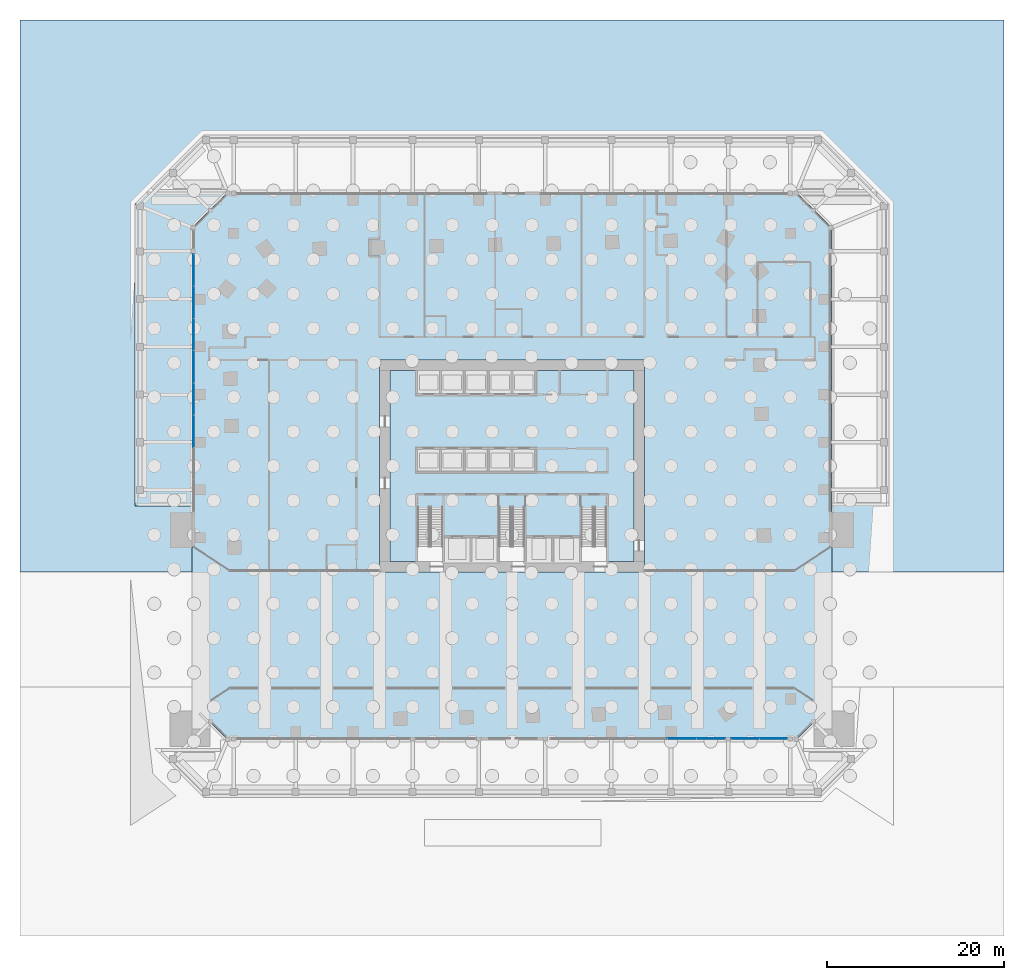
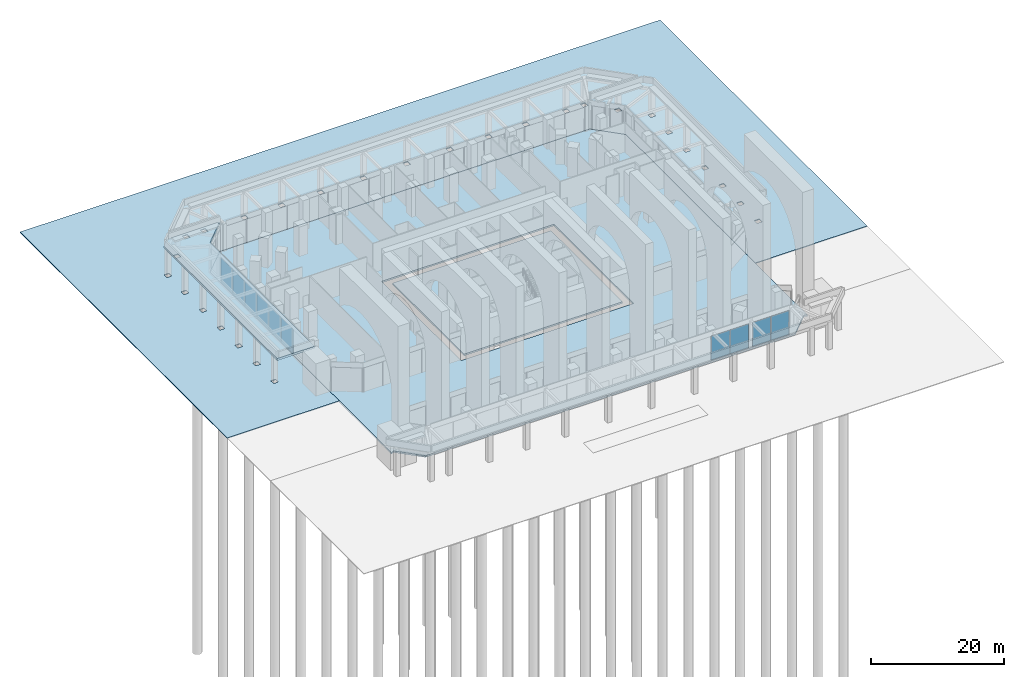
# One storey, part 36 of 46: 10 plates, 4 slabs, 3 elements without a shape of their own.
"""IFC4 building model written with IfcOpenShell, lengths in metres."""

from ifc_helpers import new_model, si_unit, direction, frame, origin, origin_2d, place, context, subcontext, project, spatial, polyline, rectangle, outline, extrude, material, layer, layer_set, type_object, element, aggregate, save


model = new_model("IFC4")

# Units and contexts
model_context = context("Model", 3, precision=1e-05, world=origin(), true_north=direction((0.0, 1.0)))
body_context = subcontext(model_context, "Body", "Model", "MODEL_VIEW")
ifc_project = project(units=[si_unit("LENGTHUNIT", "METRE"), si_unit("AREAUNIT", "SQUARE_METRE"), si_unit("VOLUMEUNIT", "CUBIC_METRE"), si_unit("PLANEANGLEUNIT", "RADIAN"), si_unit("MASSUNIT", "GRAM", prefix="KILO")], contexts=[model_context])

# Site, building, storey
site_placement = place(None, origin())
site = spatial("IfcSite", under=ifc_project, at=site_placement, CompositionType="ELEMENT")
building_placement = place(site_placement, origin())
building = spatial("IfcBuilding", under=site, at=building_placement, Name="Mangrove Gate Tower", CompositionType="ELEMENT")
storey_placement = place(building_placement, origin())
storey = spatial("IfcBuildingStorey", under=building, at=storey_placement, Name="L00", CompositionType="ELEMENT", Elevation=0.0)

# Slabs
ifc_material_1 = material(Name="Concrete C40/50", Category="concrete")
ifc_layer_1 = layer(ifc_material_1, 0.419921875)
ifc_layer_set_1 = layer_set([ifc_layer_1], Name="Canopy slab 420 C40/50")
slab_type_1 = type_object("IfcSlabType", Name="Canopy slab 420 C40/50", PredefinedType="ROOF", material=ifc_layer_set_1)
slab_1_placement = place(storey_placement, frame((0.0, 0.0, 5.080078125)))
element("IfcSlab", 1, at=slab_1_placement, inside=storey, type_object=slab_type_1, Name="Canopy slab W", PredefinedType="ROOF", context=body_context, shape_type="SweptSolid", body=[
    extrude(outline(polyline([(-32.199951171875, 31.0), (-41.39208984375, 31.0), (-42.699951171875, 29.69189453125), (-42.699951171875, -4.5), (-36.199951171875, -4.5), (-36.199951171875, 27.0), (-32.199951171875, 31.0)])), origin(), (0.0, 0.0, 1.0), 0.419921875),
])
ifc_material_2 = material(Name="Concrete C40/50", Category="concrete")
ifc_layer_2 = layer(ifc_material_2, 0.300048828125)
ifc_layer_set_2 = layer_set([ifc_layer_2], Name="Core floor slab 300 C40/50")
slab_type_2 = type_object("IfcSlabType", Name="Core floor slab 300 C40/50", PredefinedType="FLOOR", material=ifc_layer_set_2)
slab_2_placement = place(storey_placement, frame((0.0, 0.0, -0.300048828125)))
element("IfcSlab", 2, at=slab_2_placement, inside=storey, type_object=slab_type_2, Name="SLAB-L00-CORE-1", PredefinedType="FLOOR", context=body_context, shape_type="SweptSolid", body=[
    extrude(outline(polyline([(13.800048828125, -10.800048828125), (13.800048828125, 10.800048828125), (-13.800048828125, 10.800048828125), (-13.800048828125, -10.800048828125), (13.800048828125, -10.800048828125)])), origin(), (0.0, 0.0, 1.0), 0.300048828125),
])
ifc_material_3 = material(Name="Concrete C40/50", Category="concrete")
ifc_layer_3 = layer(ifc_material_3, 0.300048828125)
ifc_layer_set_3 = layer_set([ifc_layer_3], Name="Floor slab 300 C40/50 ground")
slab_type_3 = type_object("IfcSlabType", Name="Floor slab 300 C40/50 ground", PredefinedType="BASESLAB", material=ifc_layer_set_3)
slab_3_placement = place(storey_placement, frame((0.0, 0.0, -0.300048828125)))
element("IfcSlab", 3, at=slab_3_placement, inside=storey, type_object=slab_type_3, Name="Floor slab L00", PredefinedType="BASESLAB", context=body_context, shape_type="SweptSolid", body=[
    extrude(outline(polyline([(-36.199951171875, -27.75), (-35.746826171875, -27.453125), (-32.199951171875, -31.0), (32.199951171875, -31.0), (35.746826171875, -27.453125), (36.199951171875, -27.75), (36.199951171875, 27.0), (32.199951171875, 31.0), (-32.199951171875, 31.0), (-36.199951171875, 27.0), (-36.199951171875, -27.75)]), holes=[polyline([(-15.0, 12.0), (15.0, 12.0), (15.0, -12.0), (-15.0, -12.0), (-15.0, 12.0)])]), origin(), (0.0, 0.0, 1.0), 0.300048828125),
])
ifc_material_4 = material(Name="Granite", Category="masonry")
ifc_layer_4 = layer(ifc_material_4, 0.06005859375, Name="Granite paving")
ifc_material_5 = material(Name="Bedding sand")
ifc_layer_5 = layer(ifc_material_5, 0.030029296875, Name="Bedding course")
ifc_material_6 = material(Name="Compacted crushed stone", Category="masonry")
ifc_layer_6 = layer(ifc_material_6, 0.06005859375, Name="Sub-base")
ifc_layer_set_4 = layer_set([ifc_layer_4, ifc_layer_5, ifc_layer_6], Name="Plaza paving 150 granite")
slab_type_4 = type_object("IfcSlabType", Name="Plaza paving 150 granite", PredefinedType="USERDEFINED", material=ifc_layer_set_4)
slab_4_placement = place(storey_placement, frame((0.0, 0.0, -0.14990234375)))
element("IfcSlab", 4, at=slab_4_placement, inside=storey, type_object=slab_type_4, Name="PLAZA PAVING", ObjectType="PAVING", PredefinedType="USERDEFINED", context=body_context, shape_type="SweptSolid", body=[
    extrude(outline(polyline([(55.699951171875, -12.0), (36.199951171875, -12.0), (36.199951171875, 27.0), (32.199951171875, 31.0), (32.199951171875, 31.0), (-32.199951171875, 31.0), (-32.199951171875, 31.0), (-36.199951171875, 27.0), (-36.199951171875, -12.0), (-55.699951171875, -12.0), (-55.699951171875, 50.5), (55.699951171875, 50.5), (55.699951171875, -12.0)]), holes=[polyline([(-41.679931640625, -3.1201171875), (-41.679931640625, -2.280029296875), (-42.52001953125, -2.280029296875), (-42.52001953125, -3.1201171875), (-41.679931640625, -3.1201171875)]), polyline([(-41.679931640625, 3.1201171875), (-42.52001953125, 3.1201171875), (-42.52001953125, 2.280029296875), (-41.679931640625, 2.280029296875), (-41.679931640625, 3.1201171875)]), polyline([(-41.679931640625, 8.52001953125), (-42.52001953125, 8.52001953125), (-42.52001953125, 7.679931640625), (-41.679931640625, 7.679931640625), (-41.679931640625, 8.52001953125)]), polyline([(-41.679931640625, 13.919921875), (-42.52001953125, 13.919921875), (-42.52001953125, 13.080078125), (-41.679931640625, 13.080078125), (-41.679931640625, 13.919921875)]), polyline([(-41.679931640625, 18.47998046875), (-41.679931640625, 19.320068359375), (-42.52001953125, 19.320068359375), (-42.52001953125, 18.47998046875), (-41.679931640625, 18.47998046875)]), polyline([(-41.679931640625, 23.8798828125), (-41.679931640625, 24.719970703125), (-42.52001953125, 24.719970703125), (-42.52001953125, 23.8798828125), (-41.679931640625, 23.8798828125)]), polyline([(-41.679931640625, 29.864013671875), (-42.52001953125, 29.864013671875), (-42.52001953125, 29.02392578125), (-41.679931640625, 29.02392578125), (-41.679931640625, 29.864013671875)]), polyline([(-37.951904296875, 33.592041015625), (-38.7919921875, 33.592041015625), (-38.7919921875, 32.751953125), (-37.951904296875, 32.751953125), (-37.951904296875, 33.592041015625)]), polyline([(-34.22412109375, 37.320068359375), (-35.06396484375, 37.320068359375), (-35.06396484375, 36.47998046875), (-34.22412109375, 36.47998046875), (-34.22412109375, 37.320068359375)]), polyline([(-31.080078125, 36.47998046875), (-31.080078125, 37.320068359375), (-31.919921875, 37.320068359375), (-31.919921875, 36.47998046875), (-31.080078125, 36.47998046875)]), polyline([(-24.080078125, 36.47998046875), (-24.080078125, 37.320068359375), (-24.919921875, 37.320068359375), (-24.919921875, 36.47998046875), (-24.080078125, 36.47998046875)]), polyline([(-17.580078125, 37.320068359375), (-18.419921875, 37.320068359375), (-18.419921875, 36.47998046875), (-17.580078125, 36.47998046875), (-17.580078125, 37.320068359375)]), polyline([(-10.830078125, 37.320068359375), (-11.669921875, 37.320068359375), (-11.669921875, 36.47998046875), (-10.830078125, 36.47998046875), (-10.830078125, 37.320068359375)]), polyline([(-3.330078125, 37.320068359375), (-4.169921875, 37.320068359375), (-4.169921875, 36.47998046875), (-3.330078125, 36.47998046875), (-3.330078125, 37.320068359375)]), polyline([(4.169921875, 36.47998046875), (4.169921875, 37.320068359375), (3.330078125, 37.320068359375), (3.330078125, 36.47998046875), (4.169921875, 36.47998046875)]), polyline([(11.669921875, 36.47998046875), (11.669921875, 37.320068359375), (10.830078125, 37.320068359375), (10.830078125, 36.47998046875), (11.669921875, 36.47998046875)]), polyline([(18.419921875, 37.320068359375), (17.580078125, 37.320068359375), (17.580078125, 36.47998046875), (18.419921875, 36.47998046875), (18.419921875, 37.320068359375)]), polyline([(24.919921875, 37.320068359375), (24.080078125, 37.320068359375), (24.080078125, 36.47998046875), (24.919921875, 36.47998046875), (24.919921875, 37.320068359375)]), polyline([(42.52001953125, -2.280029296875), (41.679931640625, -2.280029296875), (41.679931640625, -3.1201171875), (42.52001953125, -3.1201171875), (42.52001953125, -2.280029296875)]), polyline([(42.52001953125, 3.1201171875), (41.679931640625, 3.1201171875), (41.679931640625, 2.280029296875), (42.52001953125, 2.280029296875), (42.52001953125, 3.1201171875)]), polyline([(42.52001953125, 7.679931640625), (42.52001953125, 8.52001953125), (41.679931640625, 8.52001953125), (41.679931640625, 7.679931640625), (42.52001953125, 7.679931640625)]), polyline([(42.52001953125, 13.080078125), (42.52001953125, 13.919921875), (41.679931640625, 13.919921875), (41.679931640625, 13.080078125), (42.52001953125, 13.080078125)]), polyline([(42.52001953125, 19.320068359375), (41.679931640625, 19.320068359375), (41.679931640625, 18.47998046875), (42.52001953125, 18.47998046875), (42.52001953125, 19.320068359375)]), polyline([(42.52001953125, 23.8798828125), (42.52001953125, 24.719970703125), (41.679931640625, 24.719970703125), (41.679931640625, 23.8798828125), (42.52001953125, 23.8798828125)]), polyline([(42.52001953125, 29.02392578125), (42.52001953125, 29.864013671875), (41.679931640625, 29.864013671875), (41.679931640625, 29.02392578125), (42.52001953125, 29.02392578125)]), polyline([(38.7919921875, 33.592041015625), (37.951904296875, 33.592041015625), (37.951904296875, 32.751953125), (38.7919921875, 32.751953125), (38.7919921875, 33.592041015625)]), polyline([(31.919921875, 36.47998046875), (31.919921875, 37.320068359375), (31.080078125, 37.320068359375), (31.080078125, 36.47998046875), (31.919921875, 36.47998046875)]), polyline([(35.06396484375, 36.47998046875), (35.06396484375, 37.320068359375), (34.22412109375, 37.320068359375), (34.22412109375, 36.47998046875), (35.06396484375, 36.47998046875)])]), origin(), (0.0, 0.0, 1.0), 0.14990234375),
])

# Curtain wall, plates
ifc_material_7 = material(Name="Aluminium and glass curtain wall", Category="aluminium")
curtain_wall_type = type_object("IfcCurtainWallType", Name="Podium shopfront glazing wall", PredefinedType="NOTDEFINED", material=ifc_material_7)
curtain_wall_1_placement = place(storey_placement, origin())
curtain_wall_1 = element("IfcCurtainWall", 5, at=curtain_wall_1_placement, inside=storey, type_object=curtain_wall_type, Name="Podium shopfront glazing S4s3", PredefinedType="NOTDEFINED")
ifc_material_8 = material(Name="Laminated low-e glass", Category="glass")
ifc_layer_7 = layer(ifc_material_8, 0.02392578125)
ifc_layer_set_5 = layer_set([ifc_layer_7], Name="Podium shopfront glazing panel 24")
plate_type = type_object("IfcPlateType", Name="Podium shopfront glazing panel 24", PredefinedType="CURTAIN_PANEL", material=ifc_layer_set_5)
plate_1_placement = place(storey_placement, frame((19.239990234375, -30.85009765625, 0.0), z_axis=(0.0, 0.0, 1.0), x_axis=(1.0, 0.0, 0.0)))
plate_1 = element("IfcPlate", 6, at=plate_1_placement, type_object=plate_type, Name="CWS panel 5.1", PredefinedType="CURTAIN_PANEL", context=body_context, shape_type="SweptSolid", body=[
    extrude(rectangle(XDim=3.260009765625, YDim=0.02392578125, at=origin_2d()), origin(), (0.0, 0.0, 1.0), 4.510009765625),
])
plate_2_placement = place(storey_placement, frame((22.544921875, -30.85009765625, 0.0), z_axis=(0.0, 0.0, 1.0), x_axis=(1.0, 0.0, 0.0)))
plate_2 = element("IfcPlate", 7, at=plate_2_placement, type_object=plate_type, Name="CWS panel 6.1", PredefinedType="CURTAIN_PANEL", context=body_context, shape_type="SweptSolid", body=[
    extrude(rectangle(XDim=3.22998046875, YDim=0.02392578125, at=origin_2d()), origin(), (0.0, 0.0, 1.0), 4.510009765625),
])
aggregate(curtain_wall_1, [plate_1, plate_2])

curtain_wall_2_placement = place(storey_placement, origin())
curtain_wall_2 = element("IfcCurtainWall", 8, at=curtain_wall_2_placement, inside=storey, type_object=curtain_wall_type, Name="Podium shopfront glazing S4s4", PredefinedType="NOTDEFINED")
plate_3_placement = place(storey_placement, frame((26.405029296875, -30.85009765625, 0.0), z_axis=(0.0, 0.0, 1.0), x_axis=(1.0, 0.0, 0.0)))
plate_3 = element("IfcPlate", 9, at=plate_3_placement, type_object=plate_type, Name="CWS panel 1.1", PredefinedType="CURTAIN_PANEL", context=body_context, shape_type="SweptSolid", body=[
    extrude(rectangle(XDim=3.1298828125, YDim=0.02392578125, at=origin_2d()), origin(), (0.0, 0.0, 1.0), 4.510009765625),
])
plate_4_placement = place(storey_placement, frame((29.594970703125, -30.85009765625, 0.0), z_axis=(0.0, 0.0, 1.0), x_axis=(1.0, 0.0, 0.0)))
plate_4 = element("IfcPlate", 10, at=plate_4_placement, type_object=plate_type, Name="CWS panel 2.1", PredefinedType="CURTAIN_PANEL", context=body_context, shape_type="SweptSolid", body=[
    extrude(rectangle(XDim=3.1298828125, YDim=0.02392578125, at=origin_2d()), origin(), (0.0, 0.0, 1.0), 4.510009765625),
])
aggregate(curtain_wall_2, [plate_3, plate_4])

curtain_wall_3_placement = place(storey_placement, origin())
curtain_wall_3 = element("IfcCurtainWall", 11, at=curtain_wall_3_placement, inside=storey, type_object=curtain_wall_type, Name="Podium shopfront glazing W14s2", PredefinedType="NOTDEFINED")
plate_5_placement = place(storey_placement, frame((-36.050048828125, 22.1796875, 0.0), z_axis=(0.0, 0.0, 1.0), x_axis=(0.0, -1.0, 0.0)))
plate_5 = element("IfcPlate", 12, at=plate_5_placement, type_object=plate_type, Name="CWS panel 1.1", PredefinedType="CURTAIN_PANEL", context=body_context, shape_type="SweptSolid", body=[
    extrude(rectangle(XDim=3.560546875, YDim=0.02392578125, at=origin_2d()), origin(), (0.0, 0.0, 1.0), 4.510009765625),
])
plate_6_placement = place(storey_placement, frame((-36.050048828125, 18.544189453125, 0.0), z_axis=(0.0, 0.0, 1.0), x_axis=(0.0, -1.0, 0.0)))
plate_6 = element("IfcPlate", 13, at=plate_6_placement, type_object=plate_type, Name="CWS panel 2.1", PredefinedType="CURTAIN_PANEL", context=body_context, shape_type="SweptSolid", body=[
    extrude(rectangle(XDim=3.590576171875, YDim=0.02392578125, at=origin_2d()), origin(), (0.0, 0.0, 1.0), 4.510009765625),
])
plate_7_placement = place(storey_placement, frame((-36.050048828125, 14.8935546875, 0.0), z_axis=(0.0, 0.0, 1.0), x_axis=(0.0, -1.0, 0.0)))
plate_7 = element("IfcPlate", 14, at=plate_7_placement, type_object=plate_type, Name="CWS panel 3.1", PredefinedType="CURTAIN_PANEL", context=body_context, shape_type="SweptSolid", body=[
    extrude(rectangle(XDim=3.590576171875, YDim=0.02392578125, at=origin_2d()), origin(), (0.0, 0.0, 1.0), 4.510009765625),
])
plate_8_placement = place(storey_placement, frame((-36.050048828125, 11.242919921875, 0.0), z_axis=(0.0, 0.0, 1.0), x_axis=(0.0, -1.0, 0.0)))
plate_8 = element("IfcPlate", 15, at=plate_8_placement, type_object=plate_type, Name="CWS panel 4.1", PredefinedType="CURTAIN_PANEL", context=body_context, shape_type="SweptSolid", body=[
    extrude(rectangle(XDim=3.590576171875, YDim=0.02392578125, at=origin_2d()), origin(), (0.0, 0.0, 1.0), 4.510009765625),
])
plate_9_placement = place(storey_placement, frame((-36.050048828125, 7.59228515625, 0.0), z_axis=(0.0, 0.0, 1.0), x_axis=(0.0, -1.0, 0.0)))
plate_9 = element("IfcPlate", 16, at=plate_9_placement, type_object=plate_type, Name="CWS panel 5.1", PredefinedType="CURTAIN_PANEL", context=body_context, shape_type="SweptSolid", body=[
    extrude(rectangle(XDim=3.590576171875, YDim=0.02392578125, at=origin_2d()), origin(), (0.0, 0.0, 1.0), 4.510009765625),
])
plate_10_placement = place(storey_placement, frame((-36.050048828125, 3.941650390625, 0.0), z_axis=(0.0, 0.0, 1.0), x_axis=(0.0, -1.0, 0.0)))
plate_10 = element("IfcPlate", 17, at=plate_10_placement, type_object=plate_type, Name="CWS panel 6.1", PredefinedType="CURTAIN_PANEL", context=body_context, shape_type="SweptSolid", body=[
    extrude(rectangle(XDim=3.590576171875, YDim=0.02392578125, at=origin_2d()), origin(), (0.0, 0.0, 1.0), 4.510009765625),
])
aggregate(curtain_wall_3, [plate_5, plate_6, plate_7, plate_8, plate_9, plate_10])

save(model, "model.ifc")
